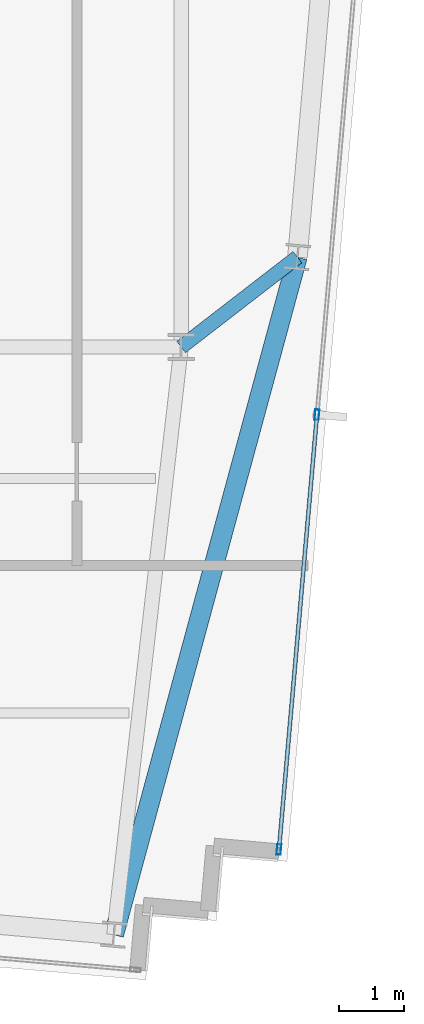
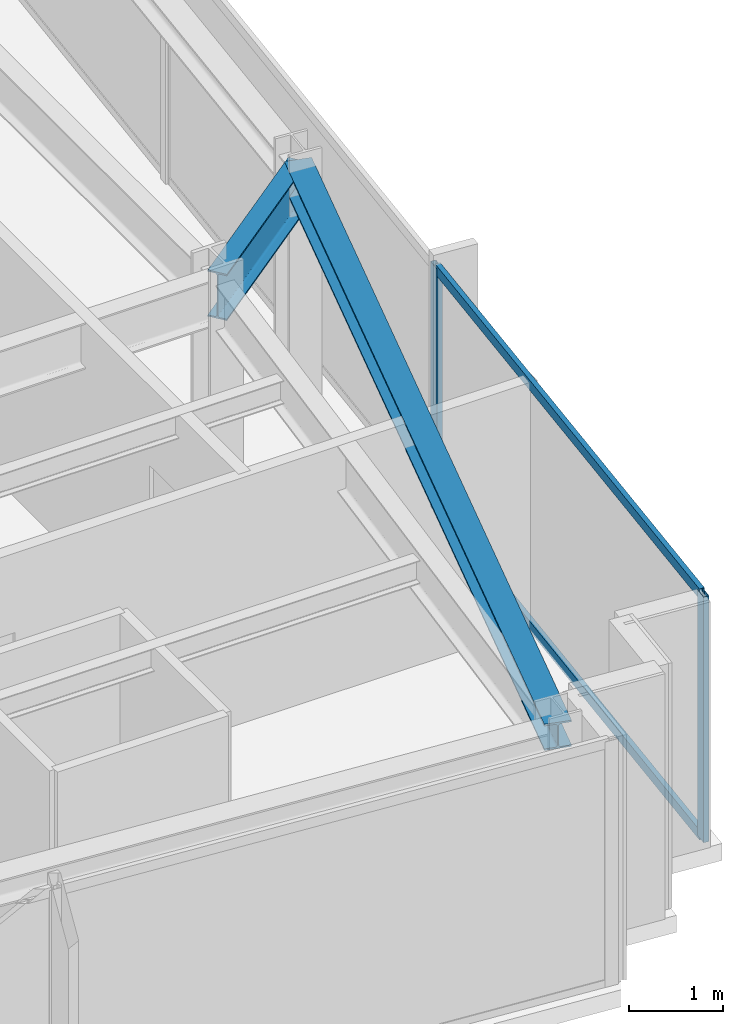
# One storey, part 16 of 32: 4 members, 2 beams, 1 element without a shape of its own.
"""IFC4 building model written with IfcOpenShell, lengths in metres."""

import ifcopenshell
import ifcopenshell.guid

model = None  # the IFC model being written
_history = None  # IfcOwnerHistory: only IFC2X3 demands one
_inside = {}  # id of a spatial element -> (the spatial element, [elements in it])
_under = {}  # id of a project, library or spatial element -> (it, [spatial elements below it])
_declared = {}  # id of a project -> (the project, [libraries it declares])
_typed = {}  # id of a type object -> (the type object, [elements of that type])
_made_of = {}  # id of a material, layer set ... -> (it, [elements and type objects made of it])


def new_model(schema):
    """Start an empty IFC model of exactly this schema.

    Asked for "IFC4X3", IfcOpenShell would pick the latest addendum, in which some entities
    have other attributes; the version numbers below select the first issue.
    IFC2X3 requires an IfcOwnerHistory on every rooted entity: one is made here for all.
    """
    global model, _history
    if schema == "IFC4X3":
        model = ifcopenshell.file(schema_version=(4, 3, 0, 0))
    else:
        model = ifcopenshell.file(schema=schema)
    _inside.clear()
    _under.clear()
    _declared.clear()
    _typed.clear()
    _made_of.clear()
    _history = None
    if model.schema == "IFC2X3":
        org = make("IfcOrganization", Name="unknown")
        user = make(
            "IfcPersonAndOrganization",
            ThePerson=make("IfcPerson", FamilyName="unknown"),
            TheOrganization=org,
        )
        app = make(
            "IfcApplication",
            ApplicationDeveloper=org,
            Version="unknown",
            ApplicationFullName="unknown",
            ApplicationIdentifier="unknown",
        )
        _history = make(
            "IfcOwnerHistory",
            OwningUser=user,
            OwningApplication=app,
            ChangeAction="ADDED",
            CreationDate=0,
        )
    return model


def make(cls, **values):
    """One entity of the class cls with the attributes given. An attribute that is None is left unset."""
    return model.create_entity(
        cls, **{name: value for name, value in values.items() if value is not None}
    )


def rooted(cls, **values):
    """An entity with a GlobalId (a new one), such as an element, a storey or a relation."""
    return make(cls, GlobalId=ifcopenshell.guid.new(), OwnerHistory=_history, **values)


def si_unit(unit_type, name, prefix=None):
    """IfcSIUnit, for example si_unit("LENGTHUNIT", "METRE", prefix="MILLI")."""
    return make("IfcSIUnit", UnitType=unit_type, Prefix=prefix, Name=name)


def assignment(units):
    """IfcUnitAssignment: the units of a project."""
    return None if units is None else make("IfcUnitAssignment", Units=units)


def point(xyz):
    """IfcCartesianPoint."""
    return None if xyz is None else make("IfcCartesianPoint", Coordinates=xyz)


def direction(xyz):
    """IfcDirection."""
    return None if xyz is None else make("IfcDirection", DirectionRatios=xyz)


def frame(location, z_axis=None, x_axis=None):
    """IfcAxis2Placement3D, a coordinate frame: its origin and axes. An axis left out is left unset."""
    return make(
        "IfcAxis2Placement3D",
        Location=point(location),
        Axis=direction(z_axis),
        RefDirection=direction(x_axis),
    )


def frame_2d(location, x_axis=None):
    """IfcAxis2Placement2D, a coordinate frame in the plane: its origin and x axis."""
    return make(
        "IfcAxis2Placement2D", Location=point(location), RefDirection=direction(x_axis)
    )


def origin():
    """The frame at (0, 0, 0) with its axes left unset."""
    return frame((0.0, 0.0, 0.0))


def origin_2d():
    """The frame at (0, 0) in the plane with its x axis left unset."""
    return frame_2d((0.0, 0.0))


def place(relative_to, where):
    """IfcLocalPlacement: puts the frame where relative to a parent placement (None: the world)."""
    return make(
        "IfcLocalPlacement", PlacementRelTo=relative_to, RelativePlacement=where
    )


def context(
    kind, dimensions, precision=None, world=None, true_north=None, identifier=None
):
    """IfcGeometricRepresentationContext, for example the 3D "Model" context."""
    return make(
        "IfcGeometricRepresentationContext",
        ContextIdentifier=identifier,
        ContextType=kind,
        CoordinateSpaceDimension=dimensions,
        Precision=precision,
        WorldCoordinateSystem=world,
        TrueNorth=true_north,
    )


def subcontext(parent, identifier, kind, view, scale=None):
    """IfcGeometricRepresentationSubContext, for example "Body" below "Model"."""
    return make(
        "IfcGeometricRepresentationSubContext",
        ContextIdentifier=identifier,
        ContextType=kind,
        ParentContext=parent,
        TargetScale=scale,
        TargetView=view,
    )


def project(units=None, contexts=None):
    """IfcProject with its units and contexts."""
    return rooted(
        "IfcProject",
        Name="project",
        RepresentationContexts=contexts,
        UnitsInContext=assignment(units),
    )


def spatial(cls, under=None, at=None, **own):
    """A site, building, storey or space (cls), placed at a placement, below another one or the project."""
    s = rooted(cls, ObjectPlacement=at, **own)
    if under is not None:
        _under.setdefault(under.id(), (under, []))[1].append(s)
    return s


def profile(cls, at=None, kind="AREA", **sizes):
    """A parametric profile (cls). Its sizes go by their IFC names, for example OverallWidth=200.0."""
    return make(cls, ProfileType=kind, Position=at, **sizes)


def hollow_rectangle(**sizes):
    """IfcRectangleHollowProfileDef."""
    return profile("IfcRectangleHollowProfileDef", **sizes)


def i_section(**sizes):
    """IfcIShapeProfileDef."""
    return profile("IfcIShapeProfileDef", **sizes)


def extrude(swept, where, along, depth):
    """IfcExtrudedAreaSolid: the profile swept, set in the frame where, extruded along a direction by depth."""
    return make(
        "IfcExtrudedAreaSolid",
        SweptArea=swept,
        Position=where,
        ExtrudedDirection=direction(along),
        Depth=depth,
    )


def shape(context_of_items, identifier, shape_type, items):
    """IfcShapeRepresentation: the items that make up one representation, for example the "Body"."""
    return make(
        "IfcShapeRepresentation",
        ContextOfItems=context_of_items,
        RepresentationIdentifier=identifier,
        RepresentationType=shape_type,
        Items=items,
    )


def material(Name=None, Category=None):
    """IfcMaterial."""
    return make("IfcMaterial", Name=Name, Category=Category)


def material_profile(
    of_material, cross_section, Name=None, Category=None, Priority=None
):
    """IfcMaterialProfile: a cross section and its material."""
    return make(
        "IfcMaterialProfile",
        Name=Name,
        Material=of_material,
        Profile=cross_section,
        Priority=Priority,
        Category=Category,
    )


def profile_set(profiles, Name=None, composite=None):
    """IfcMaterialProfileSet."""
    return make(
        "IfcMaterialProfileSet",
        Name=Name,
        MaterialProfiles=profiles,
        CompositeProfile=composite,
    )


def made_of(thing, what):
    """Note that an element or type object is made of a material, layer set ...; save() writes the relation."""
    if what is not None:
        _made_of.setdefault(what.id(), (what, []))[1].append(thing)
    return thing


def type_object(cls, material=None, **own):
    """A type object (cls), such as IfcWallType, which elements share."""
    return made_of(rooted(cls, **own), material)


def element(
    cls,
    number,
    at=None,
    inside=None,
    cuts=None,
    type_object=None,
    material=None,
    context=None,
    identifier="Body",
    shape_type=None,
    held_by="IfcProductDefinitionShape",
    body=None,
    shapes=None,
    **own,
):
    """One element of the class cls, such as IfcWall. Its Tag is "e" and its number.

    at: its placement. inside: the storey or other place that contains it. cuts: it is an
    opening in that element (IfcRelVoidsElement). A single representation is given by context,
    identifier, shape_type and body (its items); several are given by shapes. held_by: the class
    of the entity that holds the representations. save() writes the other relations.
    """
    e = rooted(cls, Tag="e%d" % number, ObjectPlacement=at, **own)
    if body is not None:
        shapes = [shape(context, identifier, shape_type, body)]
    if shapes is not None:
        e.Representation = make(held_by, Representations=shapes)
    if inside is not None:
        _inside.setdefault(inside.id(), (inside, []))[1].append(e)
    if cuts is not None:
        rooted(
            "IfcRelVoidsElement", RelatingBuildingElement=cuts, RelatedOpeningElement=e
        )
    if type_object is not None:
        _typed.setdefault(type_object.id(), (type_object, []))[1].append(e)
    return made_of(e, material)


def aggregate(whole, parts):
    """IfcRelAggregates: a whole, such as a stair, and the parts it consists of."""
    return rooted("IfcRelAggregates", RelatingObject=whole, RelatedObjects=parts)


def save(model, path):
    """Write the relations noted so far, then the file.

    IfcRelAggregates (storeys below a building ...), IfcRelContainedInSpatialStructure (elements
    in a storey), IfcRelDefinesByType, IfcRelAssociatesMaterial and IfcRelDeclares: one each for
    every whole, place, type object, material and project.
    """
    for whole, parts in _under.values():
        aggregate(whole, parts)
    for where, things in _inside.values():
        rooted(
            "IfcRelContainedInSpatialStructure",
            RelatedElements=things,
            RelatingStructure=where,
        )
    for kind, things in _typed.values():
        rooted("IfcRelDefinesByType", RelatedObjects=things, RelatingType=kind)
    for what, things in _made_of.values():
        rooted("IfcRelAssociatesMaterial", RelatedObjects=things, RelatingMaterial=what)
    for by, libraries in _declared.values():
        rooted("IfcRelDeclares", RelatingContext=by, RelatedDefinitions=libraries)
    model.write(path)


model = new_model("IFC4")

# Units and contexts
model_context = context("Model", 3, precision=1e-05, world=origin(), true_north=direction((0.0, 1.0)))
body_context = subcontext(model_context, "Body", "Model", "MODEL_VIEW")
ifc_project = project(units=[si_unit("LENGTHUNIT", "METRE"), si_unit("AREAUNIT", "SQUARE_METRE"), si_unit("VOLUMEUNIT", "CUBIC_METRE"), si_unit("PLANEANGLEUNIT", "RADIAN"), si_unit("MASSUNIT", "GRAM", prefix="KILO")], contexts=[model_context])

# Site, building, storey
site_placement = place(None, origin())
site = spatial("IfcSite", under=ifc_project, at=site_placement, CompositionType="ELEMENT")
building_placement = place(site_placement, origin())
building = spatial("IfcBuilding", under=site, at=building_placement, Name="Yelkora Congress Tower", CompositionType="ELEMENT")
storey_placement = place(building_placement, frame((0.0, 0.0, 279.5)))
storey = spatial("IfcBuildingStorey", under=building, at=storey_placement, Name="L78", CompositionType="ELEMENT", Elevation=279.5)

# Beams
ifc_material_1 = material(Name="Steel S355J2", Category="steel")
ifc_material_profile_1 = material_profile(ifc_material_1, i_section(OverallWidth=0.219970703125, OverallDepth=0.60009765625, WebThickness=0.011962890625, FlangeThickness=0.01904296875, FilletRadius=0.02392578125, at=origin_2d()), Name="IPE 600")
ifc_profile_set_1 = profile_set([ifc_material_profile_1], Name="Steel S355J2")
beam_type_1 = type_object("IfcBeamType", Name="BM-GIRD-IPE600", PredefinedType="BEAM", material=ifc_profile_set_1)
beam_1_placement = place(storey_placement, frame((55.543701171875, 26.57861328125, 2.8798828125), z_axis=(-0.791208781933, -0.611546125318, 0.0), x_axis=(0.611546125318, -0.791208781933, 0.0)))
element("IfcBeam", 1, at=beam_1_placement, inside=storey, type_object=beam_type_1, Name="L78 Primary Frame Girder E01", PredefinedType="BEAM", context=body_context, shape_type="SweptSolid", body=[
    extrude(i_section(OverallWidth=0.219970703125, OverallDepth=0.60009765625, WebThickness=0.011962890625, FlangeThickness=0.01904296875, FilletRadius=0.02392578125, at=origin_2d()), origin(), (0.0, 0.0, 1.0), 2.25439453125),
])
ifc_material_profile_2 = material_profile(ifc_material_1, i_section(OverallWidth=0.300048828125, OverallDepth=0.340087890625, WebThickness=0.011962890625, FlangeThickness=0.021484375, FilletRadius=0.027099609375, at=origin_2d()), Name="HEB 340")
ifc_profile_set_2 = profile_set([ifc_material_profile_2], Name="Steel S355J2")
beam_type_2 = type_object("IfcBeamType", Name="BM-SPAN-HEB340", PredefinedType="SPANDREL", material=ifc_profile_set_2)
beam_2_placement = place(storey_placement, frame((52.727294921875, 16.1845703125, 3.010009765625), z_axis=(0.261532523212, 0.965194663942, 0.0), x_axis=(-0.965194663942, 0.261532523212, 0.0)))
element("IfcBeam", 2, at=beam_2_placement, inside=storey, type_object=beam_type_2, Name="L78 Perimeter Beam 7", PredefinedType="SPANDREL", context=body_context, shape_type="SweptSolid", body=[
    extrude(i_section(OverallWidth=0.300048828125, OverallDepth=0.340087890625, WebThickness=0.011962890625, FlangeThickness=0.021484375, FilletRadius=0.027099609375, at=origin_2d()), origin(), (0.0, 0.0, 1.0), 10.768798828125),
])

# Curtain wall, members
ifc_material_2 = material(Name="Anodised aluminium and insulated glass", Category="aluminium")
curtain_wall_type = type_object("IfcCurtainWallType", Name="CW-SYS-B5", PredefinedType="NOTDEFINED", material=ifc_material_2)
curtain_wall_placement = place(storey_placement, origin())
curtain_wall = element("IfcCurtainWall", 3, at=curtain_wall_placement, inside=storey, type_object=curtain_wall_type, Name="L78 Unitised Curtain Wall 15", PredefinedType="NOTDEFINED")
ifc_material_3 = material(Name="Anodised aluminium 6063-T6", Category="aluminium")
ifc_material_profile_3 = material_profile(ifc_material_3, hollow_rectangle(XDim=0.06494140625, YDim=0.159912109375, WallThickness=0.00390625, at=origin_2d()), Name="ALU 65x160x4")
ifc_profile_set_3 = profile_set([ifc_material_profile_3], Name="Anodised aluminium 6063-T6")
member_type_1 = type_object("IfcMemberType", Name="MEM-ML-B5", PredefinedType="MULLION", material=ifc_profile_set_3)
member_1_placement = place(storey_placement, frame((55.844482421875, 24.1630859375, 0.0), z_axis=(0.0, 0.0, 1.0), x_axis=(0.996194463398, -0.087158425264, 0.0)))
member_1 = element("IfcMember", 4, at=member_1_placement, type_object=member_type_1, Name="CW-B5 mullion 4", PredefinedType="MULLION", context=body_context, shape_type="SweptSolid", body=[
    extrude(hollow_rectangle(XDim=0.06494140625, YDim=0.159912109375, WallThickness=0.00390625, at=origin_2d()), origin(), (0.0, 0.0, 1.0), 3.179931640625),
])
member_2_placement = place(storey_placement, frame((55.2607421875, 17.4912109375, 0.0), z_axis=(0.0, 0.0, 1.0), x_axis=(0.996194463398, -0.087158425264, 0.0)))
member_2 = element("IfcMember", 5, at=member_2_placement, type_object=member_type_1, Name="CW-B5 mullion 5", PredefinedType="MULLION", context=body_context, shape_type="SweptSolid", body=[
    extrude(hollow_rectangle(XDim=0.06494140625, YDim=0.159912109375, WallThickness=0.00390625, at=origin_2d()), origin(), (0.0, 0.0, 1.0), 3.179931640625),
])
ifc_material_profile_4 = material_profile(ifc_material_3, hollow_rectangle(XDim=0.06005859375, YDim=0.1298828125, WallThickness=0.00390625, at=origin_2d()), Name="ALU 60x130x4")
ifc_profile_set_4 = profile_set([ifc_material_profile_4], Name="Anodised aluminium 6063-T6")
member_type_2 = type_object("IfcMemberType", Name="MEM-TR-B5", PredefinedType="USERDEFINED", material=ifc_profile_set_4)
member_3_placement = place(storey_placement, frame((55.841552734375, 24.130859375, 0.030029296875), z_axis=(-0.087163297365, -0.996194037119, 0.0), x_axis=(0.996194037119, -0.087163297365, 0.0)))
member_3 = element("IfcMember", 6, at=member_3_placement, type_object=member_type_2, Name="CW-B5 transom 4.1", ObjectType="TRANSOM", PredefinedType="USERDEFINED", context=body_context, shape_type="SweptSolid", body=[
    extrude(hollow_rectangle(XDim=0.06005859375, YDim=0.1298828125, WallThickness=0.00390625, at=origin_2d()), origin(), (0.0, 0.0, 1.0), 6.632568359375),
])
member_4_placement = place(storey_placement, frame((55.841552734375, 24.130859375, 3.14990234375), z_axis=(-0.087163297365, -0.996194037119, 0.0), x_axis=(0.996194037119, -0.087163297365, 0.0)))
member_4 = element("IfcMember", 7, at=member_4_placement, type_object=member_type_2, Name="CW-B5 transom 4.2", ObjectType="TRANSOM", PredefinedType="USERDEFINED", context=body_context, shape_type="SweptSolid", body=[
    extrude(hollow_rectangle(XDim=0.06005859375, YDim=0.1298828125, WallThickness=0.00390625, at=origin_2d()), origin(), (0.0, 0.0, 1.0), 6.632568359375),
])
aggregate(curtain_wall, [member_1, member_2, member_3, member_4])

save(model, "model.ifc")
